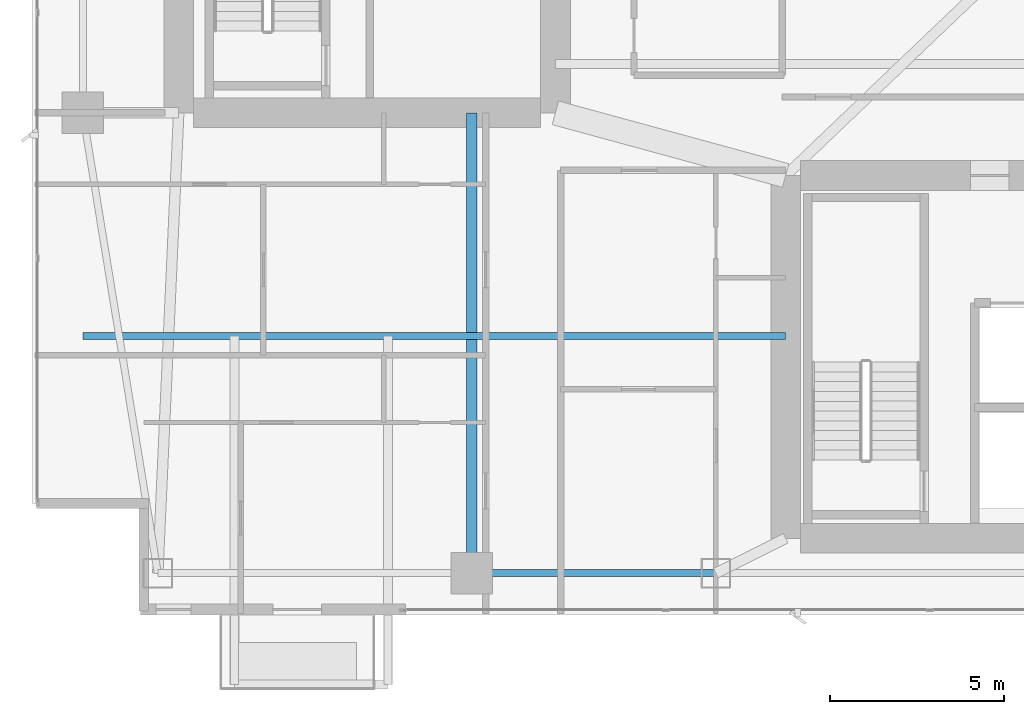
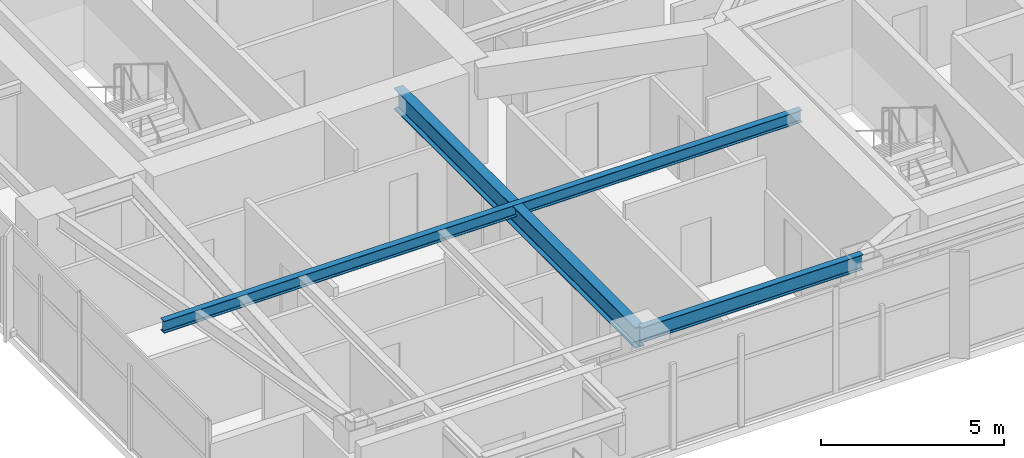
# One storey, part 5 of 29: 3 beams.
"""IFC4 building model written with IfcOpenShell, lengths in metres."""

from ifc_helpers import new_model, si_unit, direction, frame, origin, origin_2d, place, context, subcontext, project, spatial, i_section, extrude, material, material_profile, profile_set, type_object, element, save


model = new_model("IFC4")

# Units and contexts
model_context = context("Model", 3, precision=1e-05, world=origin(), true_north=direction((0.0, 1.0)))
body_context = subcontext(model_context, "Body", "Model", "MODEL_VIEW")
ifc_project = project(units=[si_unit("LENGTHUNIT", "METRE"), si_unit("AREAUNIT", "SQUARE_METRE"), si_unit("VOLUMEUNIT", "CUBIC_METRE"), si_unit("PLANEANGLEUNIT", "RADIAN"), si_unit("MASSUNIT", "GRAM", prefix="KILO")], contexts=[model_context])

# Site, building, storey
site_placement = place(None, origin())
site = spatial("IfcSite", under=ifc_project, at=site_placement, CompositionType="ELEMENT")
building_placement = place(site_placement, origin())
building = spatial("IfcBuilding", under=site, at=building_placement, Name="Calvorn Quay Hotel", CompositionType="ELEMENT")
storey_placement = place(building_placement, frame((0.0, 0.0, 124.0)))
storey = spatial("IfcBuildingStorey", under=building, at=storey_placement, Name="L30", CompositionType="ELEMENT", Elevation=124.0)

# Beams
ifc_material_1 = material(Name="Steel Q390GJC", Category="steel")
ifc_material_profile_1 = material_profile(ifc_material_1, i_section(OverallWidth=0.300048828125, OverallDepth=0.699951171875, WebThickness=0.012939453125, FlangeThickness=0.02392578125, FilletRadius=0.02392578125, at=origin_2d()), Name="HN700x300x13x24")
ifc_profile_set_1 = profile_set([ifc_material_profile_1], Name="Steel Q390GJC")
beam_type_1 = type_object("IfcBeamType", Name="BM-GIRD-MAIN", PredefinedType="BEAM", material=ifc_profile_set_1)
beam_1_placement = place(storey_placement, frame((12.60009765625, 3.60009765625, 3.18994140625), z_axis=(0.0, 1.0, 0.0), x_axis=(-1.0, 0.0, 0.0)))
element("IfcBeam", 1, at=beam_1_placement, inside=storey, type_object=beam_type_1, Name="Beam BG-L30-S1", PredefinedType="BEAM", context=body_context, shape_type="SweptSolid", body=[
    extrude(i_section(OverallWidth=0.300048828125, OverallDepth=0.699951171875, WebThickness=0.012939453125, FlangeThickness=0.02392578125, FilletRadius=0.02392578125, at=origin_2d()), origin(), (0.0, 0.0, 1.0), 13.199951171875),
])
ifc_material_2 = material(Name="Steel Q355B", Category="steel")
ifc_material_profile_2 = material_profile(ifc_material_2, i_section(OverallWidth=0.199951171875, OverallDepth=0.39990234375, WebThickness=0.008056640625, FlangeThickness=0.012939453125, FilletRadius=0.01611328125, at=origin_2d()), Name="HN400x200x8x13")
ifc_profile_set_2 = profile_set([ifc_material_profile_2], Name="Steel Q355B")
beam_type_2 = type_object("IfcBeamType", Name="BM-JOIST-TYP", PredefinedType="JOIST", material=ifc_profile_set_2)
beam_2_placement = place(storey_placement, frame((1.449951171875, 10.39990234375, 3.340087890625), z_axis=(1.0, 0.0, 0.0), x_axis=(0.0, 1.0, 0.0)))
element("IfcBeam", 2, at=beam_2_placement, inside=storey, type_object=beam_type_2, Name="Beam BJ-L30-W1", PredefinedType="JOIST", context=body_context, shape_type="SweptSolid", body=[
    extrude(i_section(OverallWidth=0.199951171875, OverallDepth=0.39990234375, WebThickness=0.008056640625, FlangeThickness=0.012939453125, FilletRadius=0.01611328125, at=origin_2d()), origin(), (0.0, 0.0, 1.0), 20.150146484375),
])
ifc_material_3 = material(Name="Steel Q355B", Category="steel")
ifc_material_profile_3 = material_profile(ifc_material_3, i_section(OverallWidth=0.199951171875, OverallDepth=0.5, WebThickness=0.010009765625, FlangeThickness=0.01611328125, FilletRadius=0.01611328125, at=origin_2d()), Name="HN500x200x10x16")
ifc_profile_set_3 = profile_set([ifc_material_profile_3], Name="Steel Q355B")
beam_type_3 = type_object("IfcBeamType", Name="BM-SPANDREL-Z1", PredefinedType="SPANDREL", material=ifc_profile_set_3)
beam_3_placement = place(storey_placement, frame((12.60009765625, 3.60009765625, 3.2900390625), z_axis=(1.0, 0.0, 0.0), x_axis=(0.0, 1.0, 0.0)))
element("IfcBeam", 3, at=beam_3_placement, inside=storey, type_object=beam_type_3, Name="Beam BSP-L30-S2", PredefinedType="SPANDREL", context=body_context, shape_type="SweptSolid", body=[
    extrude(i_section(OverallWidth=0.199951171875, OverallDepth=0.5, WebThickness=0.010009765625, FlangeThickness=0.01611328125, FilletRadius=0.01611328125, at=origin_2d()), origin(), (0.0, 0.0, 1.0), 7.0),
])

save(model, "model.ifc")
